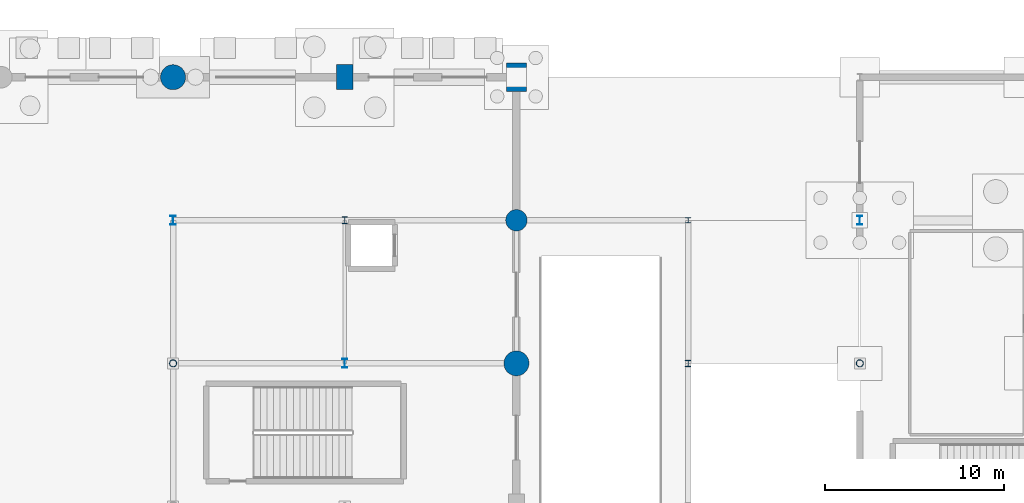
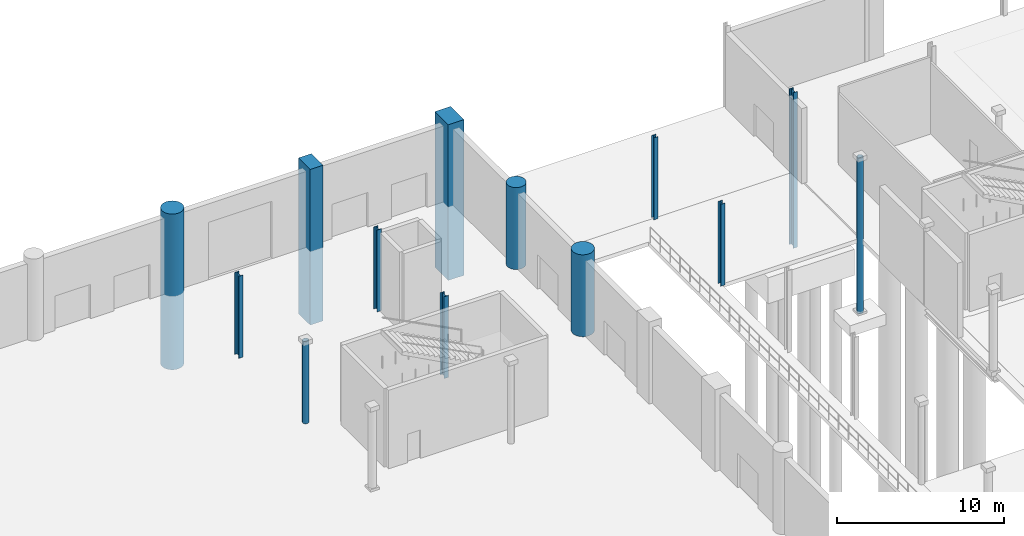
# One storey, part 30 of 124: 13 columns.
"""IFC4 building model written with IfcOpenShell, lengths in metres."""

from ifc_helpers import new_model, si_unit, direction, frame, origin, origin_2d, place, context, subcontext, project, spatial, rectangle, circle, hollow_circle, i_section, extrude, material, material_profile, profile_set, type_object, element, save


model = new_model("IFC4")

# Units and contexts
model_context = context("Model", 3, precision=1e-05, world=origin(), true_north=direction((0.0, 1.0)))
body_context = subcontext(model_context, "Body", "Model", "MODEL_VIEW")
ifc_project = project(units=[si_unit("LENGTHUNIT", "METRE"), si_unit("AREAUNIT", "SQUARE_METRE"), si_unit("VOLUMEUNIT", "CUBIC_METRE"), si_unit("PLANEANGLEUNIT", "RADIAN"), si_unit("MASSUNIT", "GRAM", prefix="KILO")], contexts=[model_context])

# Site, building, storey
site_placement = place(None, origin())
site = spatial("IfcSite", under=ifc_project, at=site_placement, CompositionType="ELEMENT")
building_placement = place(site_placement, origin())
building = spatial("IfcBuilding", under=site, at=building_placement, Name="Danafjord Basin Convention Centre", CompositionType="ELEMENT")
storey_placement = place(building_placement, origin())
storey = spatial("IfcBuildingStorey", under=building, at=storey_placement, Name="L00", CompositionType="ELEMENT", Elevation=0.0)

# Columns
ifc_material_1 = material(Name="Steel S355", Category="steel")
ifc_material_profile_1 = material_profile(ifc_material_1, hollow_circle(Radius=0.203125, WallThickness=0.02001953125, at=origin_2d()), Name="CHS 406.4x20.0")
ifc_profile_set_1 = profile_set([ifc_material_profile_1], Name="Steel S355")
column_type_1 = type_object("IfcColumnType", Name="COL-C-CHS406", PredefinedType="COLUMN", material=ifc_profile_set_1)
column_1_placement = place(storey_placement, frame((96.0, 128.0, 0.0), z_axis=(0.0, 0.0, 1.0), x_axis=(1.0, 0.0, 0.0)))
element("IfcColumn", 1, at=column_1_placement, inside=storey, type_object=column_type_1, Name="L00 column C-CHS406 at (96.0, 128.0)", PredefinedType="COLUMN", context=body_context, shape_type="SweptSolid", body=[
    extrude(hollow_circle(Radius=0.203125, WallThickness=0.02001953125, at=origin_2d()), origin(), (0.0, 0.0, 1.0), 6.0),
])
column_2_placement = place(storey_placement, frame((134.39990234375, 128.0, -5.39990234375), z_axis=(0.0, 0.0, 1.0), x_axis=(1.0, 0.0, 0.0)))
element("IfcColumn", 2, at=column_2_placement, inside=storey, type_object=column_type_1, Name="L00 column C-CHS406 at (134.4, 128.0)", PredefinedType="COLUMN", context=body_context, shape_type="SweptSolid", body=[
    extrude(hollow_circle(Radius=0.203125, WallThickness=0.02001953125, at=origin_2d()), origin(), (0.0, 0.0, 1.0), 11.39990234375),
])
ifc_material_profile_2 = material_profile(ifc_material_1, i_section(OverallWidth=0.300048828125, OverallDepth=0.300048828125, WebThickness=0.010986328125, FlangeThickness=0.01904296875, FilletRadius=0.027099609375, at=origin_2d()), Name="HEB 300")
ifc_profile_set_2 = profile_set([ifc_material_profile_2], Name="Steel S355")
column_type_2 = type_object("IfcColumnType", Name="COL-C-HEB300", PredefinedType="COLUMN", material=ifc_profile_set_2)
column_3_placement = place(storey_placement, frame((124.800048828125, 136.0, 0.0), z_axis=(0.0, 0.0, 1.0), x_axis=(1.0, 0.0, 0.0)))
element("IfcColumn", 3, at=column_3_placement, inside=storey, type_object=column_type_2, Name="L00 column C-HEB300 at (124.8, 136.0)", PredefinedType="COLUMN", context=body_context, shape_type="SweptSolid", body=[
    extrude(i_section(OverallWidth=0.300048828125, OverallDepth=0.300048828125, WebThickness=0.010986328125, FlangeThickness=0.01904296875, FilletRadius=0.027099609375, at=origin_2d()), origin(), (0.0, 0.0, 1.0), 6.0),
])
ifc_material_profile_3 = material_profile(ifc_material_1, i_section(OverallWidth=0.300048828125, OverallDepth=0.360107421875, WebThickness=0.012451171875, FlangeThickness=0.0224609375, FilletRadius=0.027099609375, at=origin_2d()), Name="HEB 360")
ifc_profile_set_3 = profile_set([ifc_material_profile_3], Name="Steel S355")
column_type_3 = type_object("IfcColumnType", Name="COL-C-HEB360", PredefinedType="COLUMN", material=ifc_profile_set_3)
column_4_placement = place(storey_placement, frame((124.800048828125, 128.0, 0.0), z_axis=(0.0, 0.0, 1.0), x_axis=(1.0, 0.0, 0.0)))
element("IfcColumn", 4, at=column_4_placement, inside=storey, type_object=column_type_3, Name="L00 column C-HEB360 at (124.8, 128.0)", PredefinedType="COLUMN", context=body_context, shape_type="SweptSolid", body=[
    extrude(i_section(OverallWidth=0.300048828125, OverallDepth=0.360107421875, WebThickness=0.012451171875, FlangeThickness=0.0224609375, FilletRadius=0.027099609375, at=origin_2d()), origin(), (0.0, 0.0, 1.0), 6.0),
])
ifc_material_profile_4 = material_profile(ifc_material_1, i_section(OverallWidth=0.300048828125, OverallDepth=0.39990234375, WebThickness=0.013427734375, FlangeThickness=0.02392578125, FilletRadius=0.027099609375, at=origin_2d()), Name="HEB 400")
ifc_profile_set_4 = profile_set([ifc_material_profile_4], Name="Steel S355")
column_type_4 = type_object("IfcColumnType", Name="COL-C-HEB400", PredefinedType="COLUMN", material=ifc_profile_set_4)
column_5_placement = place(storey_placement, frame((105.60009765625, 136.0, 0.0), z_axis=(0.0, 0.0, 1.0), x_axis=(1.0, 0.0, 0.0)))
element("IfcColumn", 5, at=column_5_placement, inside=storey, type_object=column_type_4, Name="L00 column C-HEB400 at (105.6, 136.0)", PredefinedType="COLUMN", context=body_context, shape_type="SweptSolid", body=[
    extrude(i_section(OverallWidth=0.300048828125, OverallDepth=0.39990234375, WebThickness=0.013427734375, FlangeThickness=0.02392578125, FilletRadius=0.027099609375, at=origin_2d()), origin(), (0.0, 0.0, 1.0), 6.0),
])
ifc_material_profile_5 = material_profile(ifc_material_1, i_section(OverallWidth=0.300048828125, OverallDepth=0.5, WebThickness=0.014404296875, FlangeThickness=0.028076171875, FilletRadius=0.027099609375, at=origin_2d()), Name="HEB 500")
ifc_profile_set_5 = profile_set([ifc_material_profile_5], Name="Steel S355")
column_type_5 = type_object("IfcColumnType", Name="COL-C-HEB500", PredefinedType="COLUMN", material=ifc_profile_set_5)
for number, where, z_axis, x_axis, name in (
    (6, (96.0, 136.0, 0.0), (0.0, 0.0, 1.0), (1.0, 0.0, 0.0), "L00 column C-HEB500 at (96.0, 136.0)"),
    (7, (105.60009765625, 128.0, 0.0), (0.0, 0.0, 1.0), (1.0, 0.0, 0.0), "L00 column C-HEB500 at (105.6, 128.0)"),
):
    element("IfcColumn", number, at=place(storey_placement, frame(where, z_axis=z_axis, x_axis=x_axis)), inside=storey, type_object=column_type_5, Name=name, PredefinedType="COLUMN", context=body_context, shape_type="SweptSolid", body=[
        extrude(i_section(OverallWidth=0.300048828125, OverallDepth=0.5, WebThickness=0.014404296875, FlangeThickness=0.028076171875, FilletRadius=0.027099609375, at=origin_2d()), origin(), (0.0, 0.0, 1.0), 6.0),
    ])
column_6_placement = place(storey_placement, frame((134.39990234375, 136.0, -5.39990234375), z_axis=(0.0, 0.0, 1.0), x_axis=(1.0, 0.0, 0.0)))
element("IfcColumn", 8, at=column_6_placement, inside=storey, type_object=column_type_5, Name="L00 column C-HEB500 at (134.4, 136.0)", PredefinedType="COLUMN", context=body_context, shape_type="SweptSolid", body=[
    extrude(i_section(OverallWidth=0.300048828125, OverallDepth=0.5, WebThickness=0.014404296875, FlangeThickness=0.028076171875, FilletRadius=0.027099609375, at=origin_2d()), origin(), (0.0, 0.0, 1.0), 11.39990234375),
])
ifc_material_2 = material(Name="Concrete C50/60", Category="concrete")
ifc_material_profile_6 = material_profile(ifc_material_2, rectangle(XDim=0.89990234375, YDim=1.39990234375, at=origin_2d()), Name="RC 1400x900")
ifc_profile_set_6 = profile_set([ifc_material_profile_6], Name="Concrete C50/60")
column_type_6 = type_object("IfcColumnType", Name="COL-C-RC1400", PredefinedType="COLUMN", material=ifc_profile_set_6)
column_7_placement = place(storey_placement, frame((105.60009765625, 144.0, -5.39990234375), z_axis=(0.0, 0.0, 1.0), x_axis=(1.0, 0.0, 0.0)))
element("IfcColumn", 9, at=column_7_placement, inside=storey, type_object=column_type_6, Name="L00 column C-RC1400 at (105.6, 144.0)", PredefinedType="COLUMN", context=body_context, shape_type="SweptSolid", body=[
    extrude(rectangle(XDim=0.89990234375, YDim=1.39990234375, at=origin_2d()), origin(), (0.0, 0.0, 1.0), 11.39990234375),
])
ifc_material_profile_7 = material_profile(ifc_material_2, rectangle(XDim=1.10009765625, YDim=1.60009765625, at=origin_2d()), Name="RC 1600x1100")
ifc_profile_set_7 = profile_set([ifc_material_profile_7], Name="Concrete C50/60")
column_type_7 = type_object("IfcColumnType", Name="COL-C-RC1600", PredefinedType="COLUMN", material=ifc_profile_set_7)
column_8_placement = place(storey_placement, frame((115.199951171875, 144.0, -5.39990234375), z_axis=(0.0, 0.0, 1.0), x_axis=(1.0, 0.0, 0.0)))
element("IfcColumn", 10, at=column_8_placement, inside=storey, type_object=column_type_7, Name="L00 column C-RC1600 at (115.2, 144.0)", PredefinedType="COLUMN", context=body_context, shape_type="SweptSolid", body=[
    extrude(rectangle(XDim=1.10009765625, YDim=1.60009765625, at=origin_2d()), origin(), (0.0, 0.0, 1.0), 11.39990234375),
])
ifc_material_profile_8 = material_profile(ifc_material_2, circle(Radius=0.60009765625, at=origin_2d()), Name="RC D1200")
ifc_profile_set_8 = profile_set([ifc_material_profile_8], Name="Concrete C50/60")
column_type_8 = type_object("IfcColumnType", Name="COL-C-RCD1200", PredefinedType="COLUMN", material=ifc_profile_set_8)
column_9_placement = place(storey_placement, frame((115.199951171875, 136.0, 0.0), z_axis=(0.0, 0.0, 1.0), x_axis=(1.0, 0.0, 0.0)))
element("IfcColumn", 11, at=column_9_placement, inside=storey, type_object=column_type_8, Name="L00 column C-RCD1200 at (115.2, 136.0)", PredefinedType="COLUMN", context=body_context, shape_type="SweptSolid", body=[
    extrude(circle(Radius=0.60009765625, at=origin_2d()), origin(), (0.0, 0.0, 1.0), 6.0),
])
ifc_material_profile_9 = material_profile(ifc_material_2, circle(Radius=0.699951171875, at=origin_2d()), Name="RC D1400")
ifc_profile_set_9 = profile_set([ifc_material_profile_9], Name="Concrete C50/60")
column_type_9 = type_object("IfcColumnType", Name="COL-C-RCD1400", PredefinedType="COLUMN", material=ifc_profile_set_9)
column_10_placement = place(storey_placement, frame((96.0, 144.0, -5.39990234375), z_axis=(0.0, 0.0, 1.0), x_axis=(1.0, 0.0, 0.0)))
element("IfcColumn", 12, at=column_10_placement, inside=storey, type_object=column_type_9, Name="L00 column C-RCD1400 at (96.0, 144.0)", PredefinedType="COLUMN", context=body_context, shape_type="SweptSolid", body=[
    extrude(circle(Radius=0.699951171875, at=origin_2d()), origin(), (0.0, 0.0, 1.0), 11.39990234375),
])
column_11_placement = place(storey_placement, frame((115.199951171875, 128.0, 0.0), z_axis=(0.0, 0.0, 1.0), x_axis=(1.0, 0.0, 0.0)))
element("IfcColumn", 13, at=column_11_placement, inside=storey, type_object=column_type_9, Name="L00 column C-RCD1400 at (115.2, 128.0)", PredefinedType="COLUMN", context=body_context, shape_type="SweptSolid", body=[
    extrude(circle(Radius=0.699951171875, at=origin_2d()), origin(), (0.0, 0.0, 1.0), 6.0),
])

save(model, "model.ifc")
